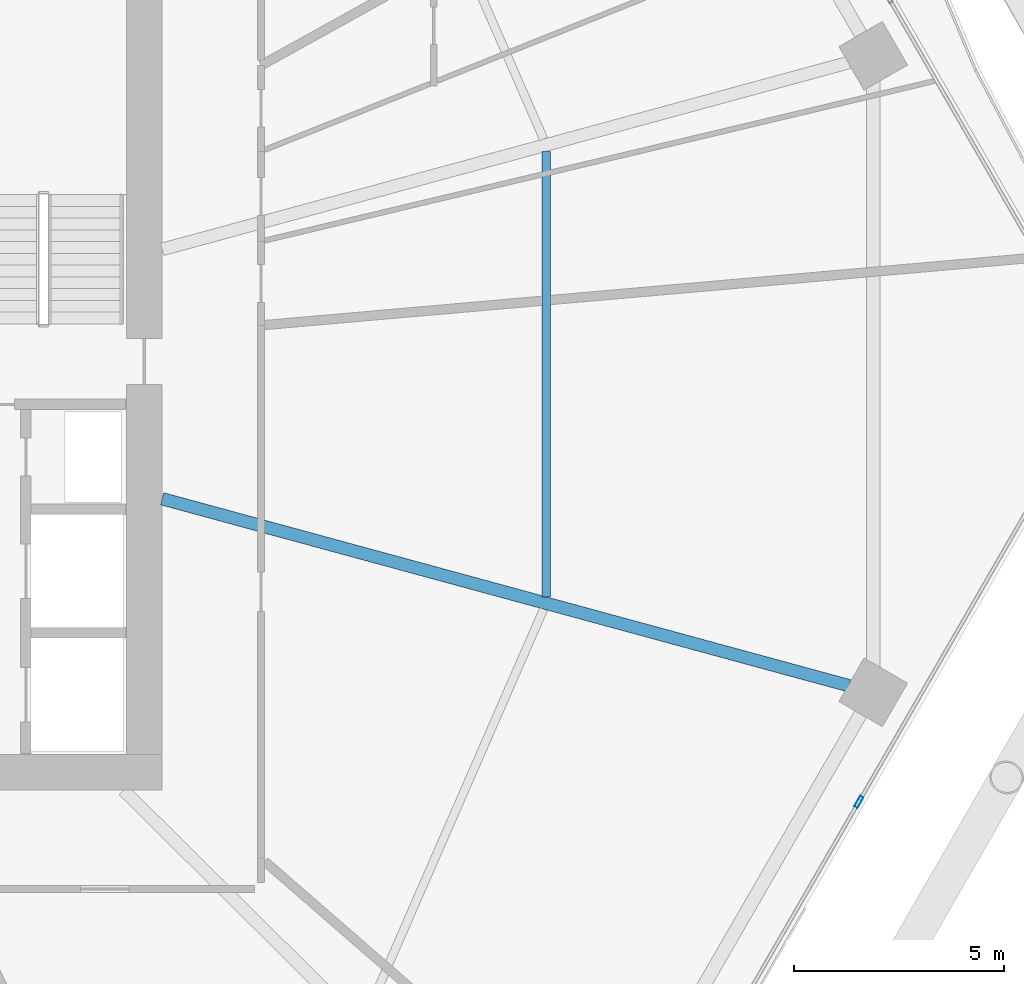
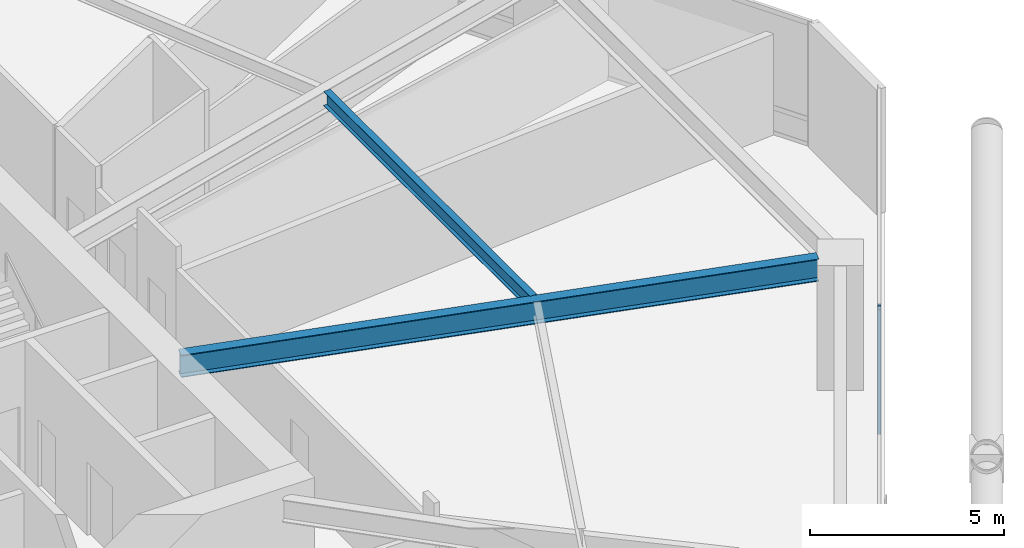
# One storey, part 11 of 31: 2 beams, 1 member, 1 element without a shape of its own.
"""IFC4 building model written with IfcOpenShell, lengths in metres."""

from ifc_helpers import new_model, si_unit, direction, frame, origin, origin_2d, place, context, subcontext, project, spatial, hollow_rectangle, i_section, extrude, material, material_profile, profile_set, type_object, element, aggregate, save


model = new_model("IFC4")

# Units and contexts
model_context = context("Model", 3, precision=1e-05, world=origin(), true_north=direction((0.0, 1.0)))
body_context = subcontext(model_context, "Body", "Model", "MODEL_VIEW")
ifc_project = project(units=[si_unit("LENGTHUNIT", "METRE"), si_unit("AREAUNIT", "SQUARE_METRE"), si_unit("VOLUMEUNIT", "CUBIC_METRE"), si_unit("PLANEANGLEUNIT", "RADIAN"), si_unit("MASSUNIT", "GRAM", prefix="KILO")], contexts=[model_context])

# Site, building, storey
site_placement = place(None, origin())
site = spatial("IfcSite", under=ifc_project, at=site_placement, CompositionType="ELEMENT")
building_placement = place(site_placement, origin())
building = spatial("IfcBuilding", under=site, at=building_placement, Name="Zuhravey Tower", CompositionType="ELEMENT")
storey_placement = place(building_placement, frame((0.0, 0.0, 7.800048828125)))
storey = spatial("IfcBuildingStorey", under=building, at=storey_placement, Name="L02", CompositionType="ELEMENT", Elevation=7.800048828125)

# Curtain wall, member
ifc_material_1 = material(Name="Thermally broken anodised aluminium", Category="aluminium")
curtain_wall_type = type_object("IfcCurtainWallType", Name="School Low-E Unitised Curtain Wall CW1", PredefinedType="NOTDEFINED", material=ifc_material_1)
curtain_wall_placement = place(storey_placement, origin())
curtain_wall = element("IfcCurtainWall", 1, at=curtain_wall_placement, inside=storey, type_object=curtain_wall_type, Name="L02 CW1 CW-L02-F6-1", PredefinedType="NOTDEFINED")
ifc_material_2 = material(Name="Anodised aluminium", Category="aluminium")
ifc_material_profile_1 = material_profile(ifc_material_2, hollow_rectangle(XDim=0.090087890625, YDim=0.284912109375, WallThickness=0.0048828125, at=origin_2d()), Name="ALU-RHS-90x285x5")
ifc_profile_set_1 = profile_set([ifc_material_profile_1], Name="Anodised aluminium")
member_type = type_object("IfcMemberType", Name="Curtain-Wall Mullion 90x180", PredefinedType="MULLION", material=ifc_profile_set_1)
member_placement = place(storey_placement, frame((63.54541015625, 21.79296875, 0.0), z_axis=(0.0, 0.0, 1.0), x_axis=(0.86602552265, -0.499999794119, 0.0)))
member = element("IfcMember", 2, at=member_placement, type_object=member_type, Name="CW1 mullion 2", PredefinedType="MULLION", context=body_context, shape_type="SweptSolid", body=[
    extrude(hollow_rectangle(XDim=0.090087890625, YDim=0.284912109375, WallThickness=0.0048828125, at=origin_2d()), origin(), (0.0, 0.0, 1.0), 3.919921875),
])
aggregate(curtain_wall, [member])

# Beams
ifc_material_3 = material(Name="Steel SM355", Category="steel")
ifc_material_profile_2 = material_profile(ifc_material_3, i_section(OverallWidth=0.300048828125, OverallDepth=0.699951171875, WebThickness=0.012939453125, FlangeThickness=0.02392578125, at=origin_2d()), Name="H-700x300x13x24")
ifc_profile_set_2 = profile_set([ifc_material_profile_2], Name="Steel SM355")
beam_type_1 = type_object("IfcBeamType", Name="Radial Primary Girder H700x300", PredefinedType="BEAM", material=ifc_profile_set_2)
beam_1_placement = place(storey_placement, frame((46.927978515625, 29.025390625, 3.570068359375), z_axis=(0.964892480455, -0.26264520015, 0.0), x_axis=(0.26264520015, 0.964892480455, 0.0)))
element("IfcBeam", 3, at=beam_1_placement, inside=storey, type_object=beam_type_1, Name="L02 RG1 BM-L02-RAD-12", PredefinedType="BEAM", context=body_context, shape_type="SweptSolid", body=[
    extrude(i_section(OverallWidth=0.300048828125, OverallDepth=0.699951171875, WebThickness=0.012939453125, FlangeThickness=0.02392578125, at=origin_2d()), origin(), (0.0, 0.0, 1.0), 16.975341796875),
])
ifc_material_profile_3 = material_profile(ifc_material_3, i_section(OverallWidth=0.199951171875, OverallDepth=0.449951171875, WebThickness=0.009033203125, FlangeThickness=0.013916015625, at=origin_2d()), Name="H-450x200x9x14")
ifc_profile_set_3 = profile_set([ifc_material_profile_3], Name="Steel SM355")
beam_type_2 = type_object("IfcBeamType", Name="Secondary Floor Joist H450x200", PredefinedType="JOIST", material=ifc_profile_set_3)
beam_2_placement = place(storey_placement, frame((56.0869140625, 26.686279296875, 3.695068359375), z_axis=(0.0, 1.0, 0.0), x_axis=(-1.0, 0.0, 0.0)))
element("IfcBeam", 4, at=beam_2_placement, inside=storey, type_object=beam_type_2, Name="L02 SJ1 BM-L02-SJ-12-1", PredefinedType="JOIST", context=body_context, shape_type="SweptSolid", body=[
    extrude(i_section(OverallWidth=0.199951171875, OverallDepth=0.449951171875, WebThickness=0.009033203125, FlangeThickness=0.013916015625, at=origin_2d()), origin(), (0.0, 0.0, 1.0), 10.62744140625),
])

save(model, "model.ifc")
